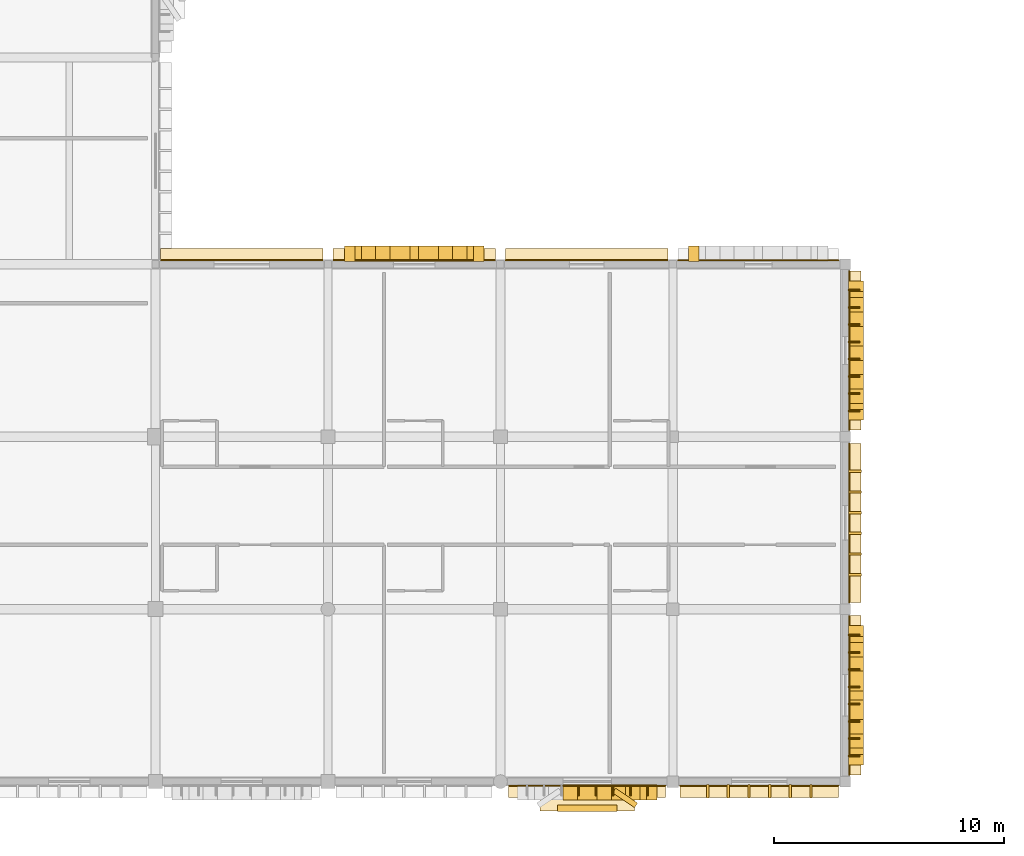
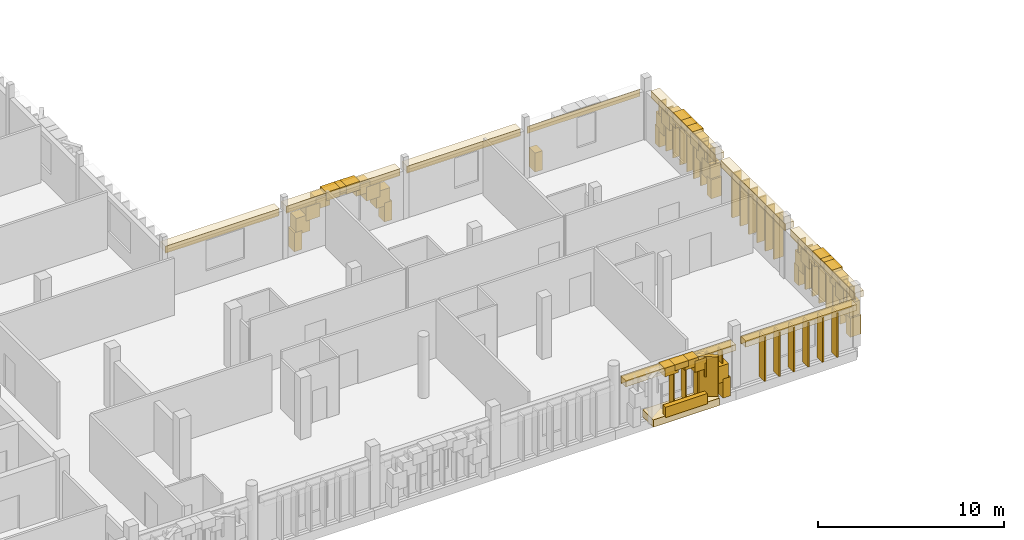
# One storey, part 32 of 48: 73 coverings, 21 shading devices.
"""IFC4 building model written with IfcOpenShell, lengths in metres."""

from ifc_helpers import new_model, si_unit, direction, frame, origin, origin_2d, place, context, subcontext, project, spatial, rectangle, extrude, material, layer, layer_set, type_object, element, save


model = new_model("IFC4")

# Units and contexts
model_context = context("Model", 3, precision=1e-05, world=origin(), true_north=direction((0.0, 1.0)))
body_context = subcontext(model_context, "Body", "Model", "MODEL_VIEW")
ifc_project = project(units=[si_unit("LENGTHUNIT", "METRE"), si_unit("AREAUNIT", "SQUARE_METRE"), si_unit("VOLUMEUNIT", "CUBIC_METRE"), si_unit("PLANEANGLEUNIT", "RADIAN"), si_unit("MASSUNIT", "GRAM", prefix="KILO")], contexts=[model_context])

# Site, building, storey
site_placement = place(None, origin())
site = spatial("IfcSite", under=ifc_project, at=site_placement, CompositionType="ELEMENT")
building_placement = place(site_placement, origin())
building = spatial("IfcBuilding", under=site, at=building_placement, Name="Dalvernix Boulevard General Hospital", CompositionType="ELEMENT")
storey_placement = place(building_placement, frame((0.0, 0.0, 17.85009765625)))
storey = spatial("IfcBuildingStorey", under=building, at=storey_placement, Name="L04", CompositionType="ELEMENT", Elevation=17.85009765625)

# Coverings
ifc_material_1 = material(Name="Pressed Catalan clay brick and dressed limestone parabolic archivolt", Category="masonry")
ifc_layer_1 = layer(ifc_material_1, 0.419921875)
ifc_layer_set_1 = layer_set([ifc_layer_1], Name="Pressed Catalan clay brick and dressed limestone parabolic archivolt (COV-ARC-01)")
covering_type_1 = type_object("IfcCoveringType", Name="COV-ARC-01", PredefinedType="CLADDING", material=ifc_layer_set_1)
for number, where, z_axis, x_axis, name in (
    (1, (38.449951171875, 22.9599609375, 0.0), (0.0, 0.0, 1.0), (1.0, 0.0, 0.0), "L04 Catalan parabolic arch impost pier N 5-3-L"),
    (2, (44.050048828125, 22.9599609375, 0.0), (0.0, 0.0, 1.0), (1.0, 0.0, 0.0), "L04 Catalan parabolic arch impost pier N 5-3-R"),
):
    element("IfcCovering", number, at=place(storey_placement, frame(where, z_axis=z_axis, x_axis=x_axis)), inside=storey, type_object=covering_type_1, Name=name, PredefinedType="CLADDING", context=body_context, shape_type="SweptSolid", body=[
        extrude(rectangle(XDim=0.4599609375, YDim=0.659912109375, at=origin_2d()), origin(), (0.0, 0.0, 1.0), 1.25),
    ])
covering_1_placement = place(storey_placement, frame((38.760986328125, 22.9599609375, 1.06005859375), z_axis=(0.0, 0.0, 1.0), x_axis=(1.0, 0.0, 0.0)))
element("IfcCovering", 3, at=covering_1_placement, inside=storey, type_object=covering_type_1, Name="L04 Catalan parabolic archivolt voussoir N 5-3-1", PredefinedType="CLADDING", context=body_context, shape_type="SweptSolid", body=[
    extrude(rectangle(XDim=0.8623046875, YDim=0.659912109375, at=origin_2d()), origin(), (0.0, 0.0, 1.0), 1.091064453125),
])
covering_2_placement = place(storey_placement, frame((39.38330078125, 22.9599609375, 1.77099609375), z_axis=(0.0, 0.0, 1.0), x_axis=(1.0, 0.0, 0.0)))
element("IfcCovering", 4, at=covering_2_placement, inside=storey, type_object=covering_type_1, Name="L04 Catalan parabolic archivolt voussoir N 5-3-2", PredefinedType="CLADDING", context=body_context, shape_type="SweptSolid", body=[
    extrude(rectangle(XDim=0.8623046875, YDim=0.659912109375, at=origin_2d()), origin(), (0.0, 0.0, 1.0), 0.913330078125),
])
covering_3_placement = place(storey_placement, frame((40.005615234375, 22.9599609375, 2.30419921875), z_axis=(0.0, 0.0, 1.0), x_axis=(1.0, 0.0, 0.0)))
element("IfcCovering", 5, at=covering_3_placement, inside=storey, type_object=covering_type_1, Name="L04 Catalan parabolic archivolt voussoir N 5-3-3", PredefinedType="CLADDING", context=body_context, shape_type="SweptSolid", body=[
    extrude(rectangle(XDim=0.8623046875, YDim=0.659912109375, at=origin_2d()), origin(), (0.0, 0.0, 1.0), 0.735595703125),
])
covering_4_placement = place(storey_placement, frame((40.627685546875, 22.9599609375, 2.65966796875), z_axis=(0.0, 0.0, 1.0), x_axis=(1.0, 0.0, 0.0)))
element("IfcCovering", 6, at=covering_4_placement, inside=storey, type_object=covering_type_1, Name="L04 Catalan parabolic archivolt voussoir N 5-3-4", PredefinedType="CLADDING", context=body_context, shape_type="SweptSolid", body=[
    extrude(rectangle(XDim=0.8623046875, YDim=0.659912109375, at=origin_2d()), origin(), (0.0, 0.0, 1.0), 0.557861328125),
])
covering_5_placement = place(storey_placement, frame((41.25, 22.9599609375, 2.837646484375), z_axis=(0.0, 0.0, 1.0), x_axis=(1.0, 0.0, 0.0)))
element("IfcCovering", 7, at=covering_5_placement, inside=storey, type_object=covering_type_1, Name="L04 Catalan parabolic archivolt voussoir N 5-3-5", PredefinedType="CLADDING", context=body_context, shape_type="SweptSolid", body=[
    extrude(rectangle(XDim=0.8623046875, YDim=0.659912109375, at=origin_2d()), origin(), (0.0, 0.0, 1.0), 0.3798828125),
])
covering_6_placement = place(storey_placement, frame((41.872314453125, 22.9599609375, 2.65966796875), z_axis=(0.0, 0.0, 1.0), x_axis=(1.0, 0.0, 0.0)))
element("IfcCovering", 8, at=covering_6_placement, inside=storey, type_object=covering_type_1, Name="L04 Catalan parabolic archivolt voussoir N 5-3-6", PredefinedType="CLADDING", context=body_context, shape_type="SweptSolid", body=[
    extrude(rectangle(XDim=0.8623046875, YDim=0.659912109375, at=origin_2d()), origin(), (0.0, 0.0, 1.0), 0.557861328125),
])
covering_7_placement = place(storey_placement, frame((42.494384765625, 22.9599609375, 2.30419921875), z_axis=(0.0, 0.0, 1.0), x_axis=(1.0, 0.0, 0.0)))
element("IfcCovering", 9, at=covering_7_placement, inside=storey, type_object=covering_type_1, Name="L04 Catalan parabolic archivolt voussoir N 5-3-7", PredefinedType="CLADDING", context=body_context, shape_type="SweptSolid", body=[
    extrude(rectangle(XDim=0.8623046875, YDim=0.659912109375, at=origin_2d()), origin(), (0.0, 0.0, 1.0), 0.735595703125),
])
covering_8_placement = place(storey_placement, frame((43.11669921875, 22.9599609375, 1.77099609375), z_axis=(0.0, 0.0, 1.0), x_axis=(1.0, 0.0, 0.0)))
element("IfcCovering", 10, at=covering_8_placement, inside=storey, type_object=covering_type_1, Name="L04 Catalan parabolic archivolt voussoir N 5-3-8", PredefinedType="CLADDING", context=body_context, shape_type="SweptSolid", body=[
    extrude(rectangle(XDim=0.8623046875, YDim=0.659912109375, at=origin_2d()), origin(), (0.0, 0.0, 1.0), 0.913330078125),
])
covering_9_placement = place(storey_placement, frame((43.739013671875, 22.9599609375, 1.06005859375), z_axis=(0.0, 0.0, 1.0), x_axis=(1.0, 0.0, 0.0)))
element("IfcCovering", 11, at=covering_9_placement, inside=storey, type_object=covering_type_1, Name="L04 Catalan parabolic archivolt voussoir N 5-3-9", PredefinedType="CLADDING", context=body_context, shape_type="SweptSolid", body=[
    extrude(rectangle(XDim=0.8623046875, YDim=0.659912109375, at=origin_2d()), origin(), (0.0, 0.0, 1.0), 1.091064453125),
])
covering_10_placement = place(storey_placement, frame((51.574951171875, -0.4599609375, 0.0), z_axis=(0.0, 0.0, 1.0), x_axis=(-1.0, 0.0, 0.0)))
element("IfcCovering", 12, at=covering_10_placement, inside=storey, type_object=covering_type_1, Name="L04 Catalan parabolic arch impost pier S 6-0-L", PredefinedType="CLADDING", context=body_context, shape_type="SweptSolid", body=[
    extrude(rectangle(XDim=0.4599609375, YDim=0.659912109375, at=origin_2d()), origin(), (0.0, 0.0, 1.0), 1.25),
])
covering_11_placement = place(storey_placement, frame((51.263916015625, -0.4599609375, 1.06005859375), z_axis=(0.0, 0.0, 1.0), x_axis=(-1.0, 0.0, 0.0)))
element("IfcCovering", 13, at=covering_11_placement, inside=storey, type_object=covering_type_1, Name="L04 Catalan parabolic archivolt voussoir S 6-0-1", PredefinedType="CLADDING", context=body_context, shape_type="SweptSolid", body=[
    extrude(rectangle(XDim=0.8623046875, YDim=0.659912109375, at=origin_2d()), origin(), (0.0, 0.0, 1.0), 1.091064453125),
])
covering_12_placement = place(storey_placement, frame((50.6416015625, -0.4599609375, 1.77099609375), z_axis=(0.0, 0.0, 1.0), x_axis=(-1.0, 0.0, 0.0)))
element("IfcCovering", 14, at=covering_12_placement, inside=storey, type_object=covering_type_1, Name="L04 Catalan parabolic archivolt voussoir S 6-0-2", PredefinedType="CLADDING", context=body_context, shape_type="SweptSolid", body=[
    extrude(rectangle(XDim=0.8623046875, YDim=0.659912109375, at=origin_2d()), origin(), (0.0, 0.0, 1.0), 0.913330078125),
])
covering_13_placement = place(storey_placement, frame((50.019287109375, -0.4599609375, 2.30419921875), z_axis=(0.0, 0.0, 1.0), x_axis=(-1.0, 0.0, 0.0)))
element("IfcCovering", 15, at=covering_13_placement, inside=storey, type_object=covering_type_1, Name="L04 Catalan parabolic archivolt voussoir S 6-0-3", PredefinedType="CLADDING", context=body_context, shape_type="SweptSolid", body=[
    extrude(rectangle(XDim=0.8623046875, YDim=0.659912109375, at=origin_2d()), origin(), (0.0, 0.0, 1.0), 0.735595703125),
])
covering_14_placement = place(storey_placement, frame((49.397216796875, -0.4599609375, 2.65966796875), z_axis=(0.0, 0.0, 1.0), x_axis=(-1.0, 0.0, 0.0)))
element("IfcCovering", 16, at=covering_14_placement, inside=storey, type_object=covering_type_1, Name="L04 Catalan parabolic archivolt voussoir S 6-0-4", PredefinedType="CLADDING", context=body_context, shape_type="SweptSolid", body=[
    extrude(rectangle(XDim=0.8623046875, YDim=0.659912109375, at=origin_2d()), origin(), (0.0, 0.0, 1.0), 0.557861328125),
])
covering_15_placement = place(storey_placement, frame((48.77490234375, -0.4599609375, 2.837646484375), z_axis=(0.0, 0.0, 1.0), x_axis=(-1.0, 0.0, 0.0)))
element("IfcCovering", 17, at=covering_15_placement, inside=storey, type_object=covering_type_1, Name="L04 Catalan parabolic archivolt voussoir S 6-0-5", PredefinedType="CLADDING", context=body_context, shape_type="SweptSolid", body=[
    extrude(rectangle(XDim=0.8623046875, YDim=0.659912109375, at=origin_2d()), origin(), (0.0, 0.0, 1.0), 0.3798828125),
])
covering_16_placement = place(storey_placement, frame((48.15283203125, -0.4599609375, 2.65966796875), z_axis=(0.0, 0.0, 1.0), x_axis=(-1.0, 0.0, 0.0)))
element("IfcCovering", 18, at=covering_16_placement, inside=storey, type_object=covering_type_1, Name="L04 Catalan parabolic archivolt voussoir S 6-0-6", PredefinedType="CLADDING", context=body_context, shape_type="SweptSolid", body=[
    extrude(rectangle(XDim=0.8623046875, YDim=0.659912109375, at=origin_2d()), origin(), (0.0, 0.0, 1.0), 0.557861328125),
])
for number, where, z_axis, x_axis, name in (
    (19, (60.4599609375, 6.550048828125, 0.0), (0.0, 0.0, 1.0), (0.0, -1.0, 0.0), "L04 Catalan parabolic arch impost pier E 8-0-L"),
    (20, (60.4599609375, 0.949951171875, 0.0), (0.0, 0.0, 1.0), (0.0, -1.0, 0.0), "L04 Catalan parabolic arch impost pier E 8-0-R"),
):
    element("IfcCovering", number, at=place(storey_placement, frame(where, z_axis=z_axis, x_axis=x_axis)), inside=storey, type_object=covering_type_1, Name=name, PredefinedType="CLADDING", context=body_context, shape_type="SweptSolid", body=[
        extrude(rectangle(XDim=0.4599609375, YDim=0.659912109375, at=origin_2d()), origin(), (0.0, 0.0, 1.0), 1.25),
    ])
covering_17_placement = place(storey_placement, frame((60.4599609375, 6.239013671875, 1.06005859375), z_axis=(0.0, 0.0, 1.0), x_axis=(0.0, -1.0, 0.0)))
element("IfcCovering", 21, at=covering_17_placement, inside=storey, type_object=covering_type_1, Name="L04 Catalan parabolic archivolt voussoir E 8-0-1", PredefinedType="CLADDING", context=body_context, shape_type="SweptSolid", body=[
    extrude(rectangle(XDim=0.8623046875, YDim=0.659912109375, at=origin_2d()), origin(), (0.0, 0.0, 1.0), 1.091064453125),
])
covering_18_placement = place(storey_placement, frame((60.4599609375, 5.61669921875, 1.77099609375), z_axis=(0.0, 0.0, 1.0), x_axis=(0.0, -1.0, 0.0)))
element("IfcCovering", 22, at=covering_18_placement, inside=storey, type_object=covering_type_1, Name="L04 Catalan parabolic archivolt voussoir E 8-0-2", PredefinedType="CLADDING", context=body_context, shape_type="SweptSolid", body=[
    extrude(rectangle(XDim=0.8623046875, YDim=0.659912109375, at=origin_2d()), origin(), (0.0, 0.0, 1.0), 0.913330078125),
])
covering_19_placement = place(storey_placement, frame((60.4599609375, 4.994384765625, 2.30419921875), z_axis=(0.0, 0.0, 1.0), x_axis=(0.0, -1.0, 0.0)))
element("IfcCovering", 23, at=covering_19_placement, inside=storey, type_object=covering_type_1, Name="L04 Catalan parabolic archivolt voussoir E 8-0-3", PredefinedType="CLADDING", context=body_context, shape_type="SweptSolid", body=[
    extrude(rectangle(XDim=0.8623046875, YDim=0.659912109375, at=origin_2d()), origin(), (0.0, 0.0, 1.0), 0.735595703125),
])
covering_20_placement = place(storey_placement, frame((60.4599609375, 4.372314453125, 2.65966796875), z_axis=(0.0, 0.0, 1.0), x_axis=(0.0, -1.0, 0.0)))
element("IfcCovering", 24, at=covering_20_placement, inside=storey, type_object=covering_type_1, Name="L04 Catalan parabolic archivolt voussoir E 8-0-4", PredefinedType="CLADDING", context=body_context, shape_type="SweptSolid", body=[
    extrude(rectangle(XDim=0.8623046875, YDim=0.659912109375, at=origin_2d()), origin(), (0.0, 0.0, 1.0), 0.557861328125),
])
covering_21_placement = place(storey_placement, frame((60.4599609375, 3.75, 2.837646484375), z_axis=(0.0, 0.0, 1.0), x_axis=(0.0, -1.0, 0.0)))
element("IfcCovering", 25, at=covering_21_placement, inside=storey, type_object=covering_type_1, Name="L04 Catalan parabolic archivolt voussoir E 8-0-5", PredefinedType="CLADDING", context=body_context, shape_type="SweptSolid", body=[
    extrude(rectangle(XDim=0.8623046875, YDim=0.659912109375, at=origin_2d()), origin(), (0.0, 0.0, 1.0), 0.3798828125),
])
covering_22_placement = place(storey_placement, frame((60.4599609375, 3.127685546875, 2.65966796875), z_axis=(0.0, 0.0, 1.0), x_axis=(0.0, -1.0, 0.0)))
element("IfcCovering", 26, at=covering_22_placement, inside=storey, type_object=covering_type_1, Name="L04 Catalan parabolic archivolt voussoir E 8-0-6", PredefinedType="CLADDING", context=body_context, shape_type="SweptSolid", body=[
    extrude(rectangle(XDim=0.8623046875, YDim=0.659912109375, at=origin_2d()), origin(), (0.0, 0.0, 1.0), 0.557861328125),
])
covering_23_placement = place(storey_placement, frame((60.4599609375, 2.505615234375, 2.30419921875), z_axis=(0.0, 0.0, 1.0), x_axis=(0.0, -1.0, 0.0)))
element("IfcCovering", 27, at=covering_23_placement, inside=storey, type_object=covering_type_1, Name="L04 Catalan parabolic archivolt voussoir E 8-0-7", PredefinedType="CLADDING", context=body_context, shape_type="SweptSolid", body=[
    extrude(rectangle(XDim=0.8623046875, YDim=0.659912109375, at=origin_2d()), origin(), (0.0, 0.0, 1.0), 0.735595703125),
])
covering_24_placement = place(storey_placement, frame((60.4599609375, 1.88330078125, 1.77099609375), z_axis=(0.0, 0.0, 1.0), x_axis=(0.0, -1.0, 0.0)))
element("IfcCovering", 28, at=covering_24_placement, inside=storey, type_object=covering_type_1, Name="L04 Catalan parabolic archivolt voussoir E 8-0-8", PredefinedType="CLADDING", context=body_context, shape_type="SweptSolid", body=[
    extrude(rectangle(XDim=0.8623046875, YDim=0.659912109375, at=origin_2d()), origin(), (0.0, 0.0, 1.0), 0.913330078125),
])
covering_25_placement = place(storey_placement, frame((60.4599609375, 1.260986328125, 1.06005859375), z_axis=(0.0, 0.0, 1.0), x_axis=(0.0, -1.0, 0.0)))
element("IfcCovering", 29, at=covering_25_placement, inside=storey, type_object=covering_type_1, Name="L04 Catalan parabolic archivolt voussoir E 8-0-9", PredefinedType="CLADDING", context=body_context, shape_type="SweptSolid", body=[
    extrude(rectangle(XDim=0.8623046875, YDim=0.659912109375, at=origin_2d()), origin(), (0.0, 0.0, 1.0), 1.091064453125),
])
for number, where, z_axis, x_axis, name in (
    (30, (53.41748046875, 22.9599609375, 0.0), (0.0, 0.0, 1.0), (1.0, 0.0, 0.0), "L04 Catalan parabolic arch impost pier N 7-3-L"),
    (31, (60.4599609375, 21.550048828125, 0.0), (0.0, 0.0, 1.0), (0.0, -1.0, 0.0), "L04 Catalan parabolic arch impost pier E 8-2-L"),
    (32, (60.4599609375, 15.949951171875, 0.0), (0.0, 0.0, 1.0), (0.0, -1.0, 0.0), "L04 Catalan parabolic arch impost pier E 8-2-R"),
):
    element("IfcCovering", number, at=place(storey_placement, frame(where, z_axis=z_axis, x_axis=x_axis)), inside=storey, type_object=covering_type_1, Name=name, PredefinedType="CLADDING", context=body_context, shape_type="SweptSolid", body=[
        extrude(rectangle(XDim=0.4599609375, YDim=0.659912109375, at=origin_2d()), origin(), (0.0, 0.0, 1.0), 1.25),
    ])
covering_26_placement = place(storey_placement, frame((60.4599609375, 21.239013671875, 1.06005859375), z_axis=(0.0, 0.0, 1.0), x_axis=(0.0, -1.0, 0.0)))
element("IfcCovering", 33, at=covering_26_placement, inside=storey, type_object=covering_type_1, Name="L04 Catalan parabolic archivolt voussoir E 8-2-1", PredefinedType="CLADDING", context=body_context, shape_type="SweptSolid", body=[
    extrude(rectangle(XDim=0.8623046875, YDim=0.659912109375, at=origin_2d()), origin(), (0.0, 0.0, 1.0), 1.091064453125),
])
covering_27_placement = place(storey_placement, frame((60.4599609375, 20.61669921875, 1.77099609375), z_axis=(0.0, 0.0, 1.0), x_axis=(0.0, -1.0, 0.0)))
element("IfcCovering", 34, at=covering_27_placement, inside=storey, type_object=covering_type_1, Name="L04 Catalan parabolic archivolt voussoir E 8-2-2", PredefinedType="CLADDING", context=body_context, shape_type="SweptSolid", body=[
    extrude(rectangle(XDim=0.8623046875, YDim=0.659912109375, at=origin_2d()), origin(), (0.0, 0.0, 1.0), 0.913330078125),
])
covering_28_placement = place(storey_placement, frame((60.4599609375, 19.994384765625, 2.30419921875), z_axis=(0.0, 0.0, 1.0), x_axis=(0.0, -1.0, 0.0)))
element("IfcCovering", 35, at=covering_28_placement, inside=storey, type_object=covering_type_1, Name="L04 Catalan parabolic archivolt voussoir E 8-2-3", PredefinedType="CLADDING", context=body_context, shape_type="SweptSolid", body=[
    extrude(rectangle(XDim=0.8623046875, YDim=0.659912109375, at=origin_2d()), origin(), (0.0, 0.0, 1.0), 0.735595703125),
])
covering_29_placement = place(storey_placement, frame((60.4599609375, 19.372314453125, 2.65966796875), z_axis=(0.0, 0.0, 1.0), x_axis=(0.0, -1.0, 0.0)))
element("IfcCovering", 36, at=covering_29_placement, inside=storey, type_object=covering_type_1, Name="L04 Catalan parabolic archivolt voussoir E 8-2-4", PredefinedType="CLADDING", context=body_context, shape_type="SweptSolid", body=[
    extrude(rectangle(XDim=0.8623046875, YDim=0.659912109375, at=origin_2d()), origin(), (0.0, 0.0, 1.0), 0.557861328125),
])
covering_30_placement = place(storey_placement, frame((60.4599609375, 18.75, 2.837646484375), z_axis=(0.0, 0.0, 1.0), x_axis=(0.0, -1.0, 0.0)))
element("IfcCovering", 37, at=covering_30_placement, inside=storey, type_object=covering_type_1, Name="L04 Catalan parabolic archivolt voussoir E 8-2-5", PredefinedType="CLADDING", context=body_context, shape_type="SweptSolid", body=[
    extrude(rectangle(XDim=0.8623046875, YDim=0.659912109375, at=origin_2d()), origin(), (0.0, 0.0, 1.0), 0.3798828125),
])
covering_31_placement = place(storey_placement, frame((60.4599609375, 18.127685546875, 2.65966796875), z_axis=(0.0, 0.0, 1.0), x_axis=(0.0, -1.0, 0.0)))
element("IfcCovering", 38, at=covering_31_placement, inside=storey, type_object=covering_type_1, Name="L04 Catalan parabolic archivolt voussoir E 8-2-6", PredefinedType="CLADDING", context=body_context, shape_type="SweptSolid", body=[
    extrude(rectangle(XDim=0.8623046875, YDim=0.659912109375, at=origin_2d()), origin(), (0.0, 0.0, 1.0), 0.557861328125),
])
covering_32_placement = place(storey_placement, frame((60.4599609375, 17.505615234375, 2.30419921875), z_axis=(0.0, 0.0, 1.0), x_axis=(0.0, -1.0, 0.0)))
element("IfcCovering", 39, at=covering_32_placement, inside=storey, type_object=covering_type_1, Name="L04 Catalan parabolic archivolt voussoir E 8-2-7", PredefinedType="CLADDING", context=body_context, shape_type="SweptSolid", body=[
    extrude(rectangle(XDim=0.8623046875, YDim=0.659912109375, at=origin_2d()), origin(), (0.0, 0.0, 1.0), 0.735595703125),
])
covering_33_placement = place(storey_placement, frame((60.4599609375, 16.88330078125, 1.77099609375), z_axis=(0.0, 0.0, 1.0), x_axis=(0.0, -1.0, 0.0)))
element("IfcCovering", 40, at=covering_33_placement, inside=storey, type_object=covering_type_1, Name="L04 Catalan parabolic archivolt voussoir E 8-2-8", PredefinedType="CLADDING", context=body_context, shape_type="SweptSolid", body=[
    extrude(rectangle(XDim=0.8623046875, YDim=0.659912109375, at=origin_2d()), origin(), (0.0, 0.0, 1.0), 0.913330078125),
])
covering_34_placement = place(storey_placement, frame((60.4599609375, 16.260986328125, 1.06005859375), z_axis=(0.0, 0.0, 1.0), x_axis=(0.0, -1.0, 0.0)))
element("IfcCovering", 41, at=covering_34_placement, inside=storey, type_object=covering_type_1, Name="L04 Catalan parabolic archivolt voussoir E 8-2-9", PredefinedType="CLADDING", context=body_context, shape_type="SweptSolid", body=[
    extrude(rectangle(XDim=0.8623046875, YDim=0.659912109375, at=origin_2d()), origin(), (0.0, 0.0, 1.0), 1.091064453125),
])
ifc_material_2 = material(Name="Polychrome glazed Catalan trencadis ceramic faceted bay spandrel")
ifc_layer_2 = layer(ifc_material_2, 0.280029296875)
ifc_layer_set_2 = layer_set([ifc_layer_2], Name="Polychrome glazed Catalan trencadis ceramic faceted bay spandrel (COV-BAY-01)")
covering_type_2 = type_object("IfcCoveringType", Name="COV-BAY-01", PredefinedType="CLADDING", material=ifc_layer_set_2)
covering_35_placement = place(storey_placement, frame((48.77490234375, -1.159912109375, 0.3798828125), z_axis=(0.0, 0.0, 1.0), x_axis=(-1.0, 0.0, 0.0)))
element("IfcCovering", 42, at=covering_35_placement, inside=storey, type_object=covering_type_2, Name="L04 projecting faceted trencadis bay spandrel S 6-0", PredefinedType="CLADDING", context=body_context, shape_type="SweptSolid", body=[
    extrude(rectangle(XDim=2.60009765625, YDim=0.280029296875, at=origin_2d()), origin(), (0.0, 0.0, 1.0), 0.679931640625),
])
covering_36_placement = place(storey_placement, frame((50.425048828125, -0.7099609375, 0.080078125), z_axis=(0.0, 0.0, 1.0), x_axis=(-0.829037572555, 0.559192903471, 0.0)))
element("IfcCovering", 43, at=covering_36_placement, inside=storey, type_object=covering_type_2, Name="L04 projecting faceted Catalan bay cheek S 6-0-L", PredefinedType="CLADDING", context=body_context, shape_type="SweptSolid", body=[
    extrude(rectangle(XDim=1.14990234375, YDim=0.239990234375, at=origin_2d()), origin(), (0.0, 0.0, 1.0), 3.010009765625),
])
ifc_material_3 = material(Name="Polychrome Catalan glazed ceramic spandrel tile panel")
ifc_layer_3 = layer(ifc_material_3, 0.044921875)
ifc_layer_set_3 = layer_set([ifc_layer_3], Name="Polychrome Catalan glazed ceramic spandrel tile panel (COV-CLD-01)")
covering_type_3 = type_object("IfcCoveringType", Name="COV-CLD-01", PredefinedType="CLADDING", material=ifc_layer_set_3)
for number, where, z_axis, x_axis, name in (
    (44, (33.75, 22.669921875, 2.69482421875), (0.0, 0.0, 1.0), (1.0, 0.0, 0.0), "L04 polychrome ceramic spandrel N 4-3"),
    (45, (41.25, 22.669921875, 2.69482421875), (0.0, 0.0, 1.0), (1.0, 0.0, 0.0), "L04 polychrome ceramic spandrel N 5-3"),
):
    element("IfcCovering", number, at=place(storey_placement, frame(where, z_axis=z_axis, x_axis=x_axis)), inside=storey, type_object=covering_type_3, Name=name, PredefinedType="CLADDING", context=body_context, shape_type="SweptSolid", body=[
        extrude(rectangle(XDim=7.06005859375, YDim=0.044921875, at=origin_2d()), origin(), (0.0, 0.0, 1.0), 0.449951171875),
    ])
covering_37_placement = place(storey_placement, frame((48.77490234375, -0.169921875, 2.69482421875), z_axis=(0.0, 0.0, 1.0), x_axis=(-1.0, 0.0, 0.0)))
element("IfcCovering", 46, at=covering_37_placement, inside=storey, type_object=covering_type_3, Name="L04 polychrome ceramic spandrel S 6-0", PredefinedType="CLADDING", context=body_context, shape_type="SweptSolid", body=[
    extrude(rectangle(XDim=6.830078125, YDim=0.044921875, at=origin_2d()), origin(), (0.0, 0.0, 1.0), 0.449951171875),
])
covering_38_placement = place(storey_placement, frame((48.75, 22.669921875, 2.69482421875), z_axis=(0.0, 0.0, 1.0), x_axis=(1.0, 0.0, 0.0)))
element("IfcCovering", 47, at=covering_38_placement, inside=storey, type_object=covering_type_3, Name="L04 polychrome ceramic spandrel N 6-3", PredefinedType="CLADDING", context=body_context, shape_type="SweptSolid", body=[
    extrude(rectangle(XDim=7.06005859375, YDim=0.044921875, at=origin_2d()), origin(), (0.0, 0.0, 1.0), 0.449951171875),
])
covering_39_placement = place(storey_placement, frame((56.262451171875, -0.169921875, 2.69482421875), z_axis=(0.0, 0.0, 1.0), x_axis=(-1.0, 0.0, 0.0)))
element("IfcCovering", 48, at=covering_39_placement, inside=storey, type_object=covering_type_3, Name="L04 polychrome ceramic spandrel S 7-0", PredefinedType="CLADDING", context=body_context, shape_type="SweptSolid", body=[
    extrude(rectangle(XDim=6.905029296875, YDim=0.044921875, at=origin_2d()), origin(), (0.0, 0.0, 1.0), 0.449951171875),
])
for number, where, z_axis, x_axis, name in (
    (49, (60.169921875, 3.75, 2.69482421875), (0.0, 0.0, 1.0), (0.0, -1.0, 0.0), "L04 polychrome ceramic spandrel E 8-0"),
    (50, (60.169921875, 11.25, 2.69482421875), (0.0, 0.0, 1.0), (0.0, -1.0, 0.0), "L04 polychrome ceramic spandrel E 8-1"),
):
    element("IfcCovering", number, at=place(storey_placement, frame(where, z_axis=z_axis, x_axis=x_axis)), inside=storey, type_object=covering_type_3, Name=name, PredefinedType="CLADDING", context=body_context, shape_type="SweptSolid", body=[
        extrude(rectangle(XDim=6.929931640625, YDim=0.044921875, at=origin_2d()), origin(), (0.0, 0.0, 1.0), 0.449951171875),
    ])
covering_40_placement = place(storey_placement, frame((56.217529296875, 22.669921875, 2.69482421875), z_axis=(0.0, 0.0, 1.0), x_axis=(1.0, 0.0, 0.0)))
element("IfcCovering", 51, at=covering_40_placement, inside=storey, type_object=covering_type_3, Name="L04 polychrome ceramic spandrel N 7-3", PredefinedType="CLADDING", context=body_context, shape_type="SweptSolid", body=[
    extrude(rectangle(XDim=6.9951171875, YDim=0.044921875, at=origin_2d()), origin(), (0.0, 0.0, 1.0), 0.449951171875),
])
covering_41_placement = place(storey_placement, frame((60.169921875, 18.75, 2.69482421875), z_axis=(0.0, 0.0, 1.0), x_axis=(0.0, -1.0, 0.0)))
element("IfcCovering", 52, at=covering_41_placement, inside=storey, type_object=covering_type_3, Name="L04 polychrome ceramic spandrel E 8-2", PredefinedType="CLADDING", context=body_context, shape_type="SweptSolid", body=[
    extrude(rectangle(XDim=6.929931640625, YDim=0.044921875, at=origin_2d()), origin(), (0.0, 0.0, 1.0), 0.449951171875),
])
ifc_material_4 = material(Name="Dressed ochre limestone classical plinth, stringcourse and corbelled cornice", Category="masonry")
ifc_layer_4 = layer(ifc_material_4, 0.449951171875)
ifc_layer_set_4 = layer_set([ifc_layer_4], Name="Dressed ochre limestone classical plinth, stringcourse and corbelled cornice (COV-CRN-01)")
covering_type_4 = type_object("IfcCoveringType", Name="COV-CRN-01", PredefinedType="CLADDING", material=ifc_layer_set_4)
for number, where, z_axis, x_axis, name in (
    (53, (33.75, 22.909912109375, 2.77001953125), (0.0, 0.0, 1.0), (1.0, 0.0, 0.0), "L04 classical corbelled cornice frieze N 4-3"),
    (54, (41.25, 22.909912109375, 2.77001953125), (0.0, 0.0, 1.0), (1.0, 0.0, 0.0), "L04 classical corbelled cornice frieze N 5-3"),
):
    element("IfcCovering", number, at=place(storey_placement, frame(where, z_axis=z_axis, x_axis=x_axis)), inside=storey, type_object=covering_type_4, Name=name, PredefinedType="CLADDING", context=body_context, shape_type="SweptSolid", body=[
        extrude(rectangle(XDim=7.06005859375, YDim=0.56005859375, at=origin_2d()), origin(), (0.0, 0.0, 1.0), 0.39990234375),
    ])
covering_42_placement = place(storey_placement, frame((48.77490234375, -0.409912109375, 2.77001953125), z_axis=(0.0, 0.0, 1.0), x_axis=(-1.0, 0.0, 0.0)))
element("IfcCovering", 55, at=covering_42_placement, inside=storey, type_object=covering_type_4, Name="L04 classical corbelled cornice frieze S 6-0", PredefinedType="CLADDING", context=body_context, shape_type="SweptSolid", body=[
    extrude(rectangle(XDim=6.830078125, YDim=0.56005859375, at=origin_2d()), origin(), (0.0, 0.0, 1.0), 0.39990234375),
])
covering_43_placement = place(storey_placement, frame((48.77490234375, -0.705078125, 0.0), z_axis=(0.0, 0.0, 1.0), x_axis=(-1.0, 0.0, 0.0)))
element("IfcCovering", 56, at=covering_43_placement, inside=storey, type_object=covering_type_4, Name="L04 projecting Catalan bay corbel base S 6-0", PredefinedType="CLADDING", context=body_context, shape_type="SweptSolid", body=[
    extrude(rectangle(XDim=4.10009765625, YDim=1.14990234375, at=origin_2d()), origin(), (0.0, 0.0, 1.0), 0.47998046875),
])
covering_44_placement = place(storey_placement, frame((48.75, 22.909912109375, 2.77001953125), z_axis=(0.0, 0.0, 1.0), x_axis=(1.0, 0.0, 0.0)))
element("IfcCovering", 57, at=covering_44_placement, inside=storey, type_object=covering_type_4, Name="L04 classical corbelled cornice frieze N 6-3", PredefinedType="CLADDING", context=body_context, shape_type="SweptSolid", body=[
    extrude(rectangle(XDim=7.06005859375, YDim=0.56005859375, at=origin_2d()), origin(), (0.0, 0.0, 1.0), 0.39990234375),
])
covering_45_placement = place(storey_placement, frame((56.262451171875, -0.409912109375, 2.77001953125), z_axis=(0.0, 0.0, 1.0), x_axis=(-1.0, 0.0, 0.0)))
element("IfcCovering", 58, at=covering_45_placement, inside=storey, type_object=covering_type_4, Name="L04 classical corbelled cornice frieze S 7-0", PredefinedType="CLADDING", context=body_context, shape_type="SweptSolid", body=[
    extrude(rectangle(XDim=6.905029296875, YDim=0.56005859375, at=origin_2d()), origin(), (0.0, 0.0, 1.0), 0.39990234375),
])
for number, where, z_axis, x_axis, name in (
    (59, (60.409912109375, 3.75, 2.77001953125), (0.0, 0.0, 1.0), (0.0, -1.0, 0.0), "L04 classical corbelled cornice frieze E 8-0"),
    (60, (60.409912109375, 11.25, 2.77001953125), (0.0, 0.0, 1.0), (0.0, -1.0, 0.0), "L04 classical corbelled cornice frieze E 8-1"),
    (61, (60.409912109375, 18.75, 2.77001953125), (0.0, 0.0, 1.0), (0.0, -1.0, 0.0), "L04 classical corbelled cornice frieze E 8-2"),
):
    element("IfcCovering", number, at=place(storey_placement, frame(where, z_axis=z_axis, x_axis=x_axis)), inside=storey, type_object=covering_type_4, Name=name, PredefinedType="CLADDING", context=body_context, shape_type="SweptSolid", body=[
        extrude(rectangle(XDim=6.929931640625, YDim=0.56005859375, at=origin_2d()), origin(), (0.0, 0.0, 1.0), 0.39990234375),
    ])
ifc_material_5 = material(Name="Terracotta-clad iroko timber brise-soleil sun-breaker fin", Category="masonry")
ifc_layer_5 = layer(ifc_material_5, 0.10009765625)
ifc_layer_set_5 = layer_set([ifc_layer_5], Name="Terracotta-clad iroko timber brise-soleil sun-breaker fin (COV-FIN-02)")
covering_type_5 = type_object("IfcCoveringType", Name="COV-FIN-02", PredefinedType="CLADDING", material=ifc_layer_set_5)
for number, where, z_axis, x_axis, name in (
    (62, (58.512451171875, -0.419921875, 0.1201171875), (0.0, 0.0, 1.0), (-1.0, 0.0, 0.0), "L04 terracotta brise-soleil fin S 7-0-1"),
    (63, (57.612548828125, -0.419921875, 0.1201171875), (0.0, 0.0, 1.0), (-1.0, 0.0, 0.0), "L04 terracotta brise-soleil fin S 7-0-2"),
    (64, (56.71240234375, -0.419921875, 0.1201171875), (0.0, 0.0, 1.0), (-1.0, 0.0, 0.0), "L04 terracotta brise-soleil fin S 7-0-3"),
    (65, (55.8125, -0.419921875, 0.1201171875), (0.0, 0.0, 1.0), (-1.0, 0.0, 0.0), "L04 terracotta brise-soleil fin S 7-0-4"),
    (66, (54.91259765625, -0.419921875, 0.1201171875), (0.0, 0.0, 1.0), (-1.0, 0.0, 0.0), "L04 terracotta brise-soleil fin S 7-0-5"),
    (67, (54.012451171875, -0.419921875, 0.1201171875), (0.0, 0.0, 1.0), (-1.0, 0.0, 0.0), "L04 terracotta brise-soleil fin S 7-0-6"),
    (68, (60.419921875, 13.5, 0.1201171875), (0.0, 0.0, 1.0), (0.0, -1.0, 0.0), "L04 terracotta brise-soleil fin E 8-1-1"),
    (69, (60.419921875, 12.60009765625, 0.1201171875), (0.0, 0.0, 1.0), (0.0, -1.0, 0.0), "L04 terracotta brise-soleil fin E 8-1-2"),
    (70, (60.419921875, 11.699951171875, 0.1201171875), (0.0, 0.0, 1.0), (0.0, -1.0, 0.0), "L04 terracotta brise-soleil fin E 8-1-3"),
    (71, (60.419921875, 10.800048828125, 0.1201171875), (0.0, 0.0, 1.0), (0.0, -1.0, 0.0), "L04 terracotta brise-soleil fin E 8-1-4"),
    (72, (60.419921875, 9.89990234375, 0.1201171875), (0.0, 0.0, 1.0), (0.0, -1.0, 0.0), "L04 terracotta brise-soleil fin E 8-1-5"),
    (73, (60.419921875, 9.0, 0.1201171875), (0.0, 0.0, 1.0), (0.0, -1.0, 0.0), "L04 terracotta brise-soleil fin E 8-1-6"),
):
    element("IfcCovering", number, at=place(storey_placement, frame(where, z_axis=z_axis, x_axis=x_axis)), inside=storey, type_object=covering_type_5, Name=name, PredefinedType="CLADDING", context=body_context, shape_type="SweptSolid", body=[
        extrude(rectangle(XDim=0.10009765625, YDim=0.580078125, at=origin_2d()), origin(), (0.0, 0.0, 1.0), 2.929931640625),
    ])

# Shading devices
ifc_material_6 = material(Name="Preservative-treated West African iroko timber", Category="wood")
shading_device_type = type_object("IfcShadingDeviceType", Name="SHD-FIN-01", PredefinedType="USERDEFINED", material=ifc_material_6)
for number, where, z_axis, x_axis, name in (
    (74, (51.39990234375, -0.3798828125, 0.1748046875), (0.0, 0.0, 1.0), (-1.0, 0.0, 0.0), "L04 iroko brise-soleil fin 1"),
    (75, (50.64990234375, -0.3798828125, 0.1748046875), (0.0, 0.0, 1.0), (-1.0, 0.0, 0.0), "L04 iroko brise-soleil fin 2"),
    (76, (49.89990234375, -0.3798828125, 0.1748046875), (0.0, 0.0, 1.0), (-1.0, 0.0, 0.0), "L04 iroko brise-soleil fin 3"),
    (77, (49.14990234375, -0.3798828125, 0.1748046875), (0.0, 0.0, 1.0), (-1.0, 0.0, 0.0), "L04 iroko brise-soleil fin 4"),
    (78, (48.39990234375, -0.3798828125, 0.1748046875), (0.0, 0.0, 1.0), (-1.0, 0.0, 0.0), "L04 iroko brise-soleil fin 5"),
    (79, (60.3798828125, 6.375, 0.1748046875), (0.0, 0.0, 1.0), (0.0, -1.0, 0.0), "L04 iroko brise-soleil fin 1"),
    (80, (60.3798828125, 5.625, 0.1748046875), (0.0, 0.0, 1.0), (0.0, -1.0, 0.0), "L04 iroko brise-soleil fin 2"),
    (81, (60.3798828125, 4.875, 0.1748046875), (0.0, 0.0, 1.0), (0.0, -1.0, 0.0), "L04 iroko brise-soleil fin 3"),
    (82, (60.3798828125, 4.125, 0.1748046875), (0.0, 0.0, 1.0), (0.0, -1.0, 0.0), "L04 iroko brise-soleil fin 4"),
    (83, (60.3798828125, 3.375, 0.1748046875), (0.0, 0.0, 1.0), (0.0, -1.0, 0.0), "L04 iroko brise-soleil fin 5"),
    (84, (60.3798828125, 2.625, 0.1748046875), (0.0, 0.0, 1.0), (0.0, -1.0, 0.0), "L04 iroko brise-soleil fin 6"),
    (85, (60.3798828125, 1.875, 0.1748046875), (0.0, 0.0, 1.0), (0.0, -1.0, 0.0), "L04 iroko brise-soleil fin 7"),
    (86, (60.3798828125, 1.125, 0.1748046875), (0.0, 0.0, 1.0), (0.0, -1.0, 0.0), "L04 iroko brise-soleil fin 8"),
    (87, (60.3798828125, 21.375, 0.1748046875), (0.0, 0.0, 1.0), (0.0, -1.0, 0.0), "L04 iroko brise-soleil fin 1"),
    (88, (60.3798828125, 20.625, 0.1748046875), (0.0, 0.0, 1.0), (0.0, -1.0, 0.0), "L04 iroko brise-soleil fin 2"),
    (89, (60.3798828125, 19.875, 0.1748046875), (0.0, 0.0, 1.0), (0.0, -1.0, 0.0), "L04 iroko brise-soleil fin 3"),
    (90, (60.3798828125, 19.125, 0.1748046875), (0.0, 0.0, 1.0), (0.0, -1.0, 0.0), "L04 iroko brise-soleil fin 4"),
    (91, (60.3798828125, 18.375, 0.1748046875), (0.0, 0.0, 1.0), (0.0, -1.0, 0.0), "L04 iroko brise-soleil fin 5"),
    (92, (60.3798828125, 17.625, 0.1748046875), (0.0, 0.0, 1.0), (0.0, -1.0, 0.0), "L04 iroko brise-soleil fin 6"),
    (93, (60.3798828125, 16.875, 0.1748046875), (0.0, 0.0, 1.0), (0.0, -1.0, 0.0), "L04 iroko brise-soleil fin 7"),
    (94, (60.3798828125, 16.125, 0.1748046875), (0.0, 0.0, 1.0), (0.0, -1.0, 0.0), "L04 iroko brise-soleil fin 8"),
):
    element("IfcShadingDevice", number, at=place(storey_placement, frame(where, z_axis=z_axis, x_axis=x_axis)), inside=storey, type_object=shading_device_type, Name=name, ObjectType="FIN", PredefinedType="USERDEFINED", context=body_context, shape_type="SweptSolid", body=[
        extrude(rectangle(XDim=0.06494140625, YDim=0.47998046875, at=origin_2d()), origin(), (0.0, 0.0, 1.0), 2.820068359375),
    ])

save(model, "model.ifc")
